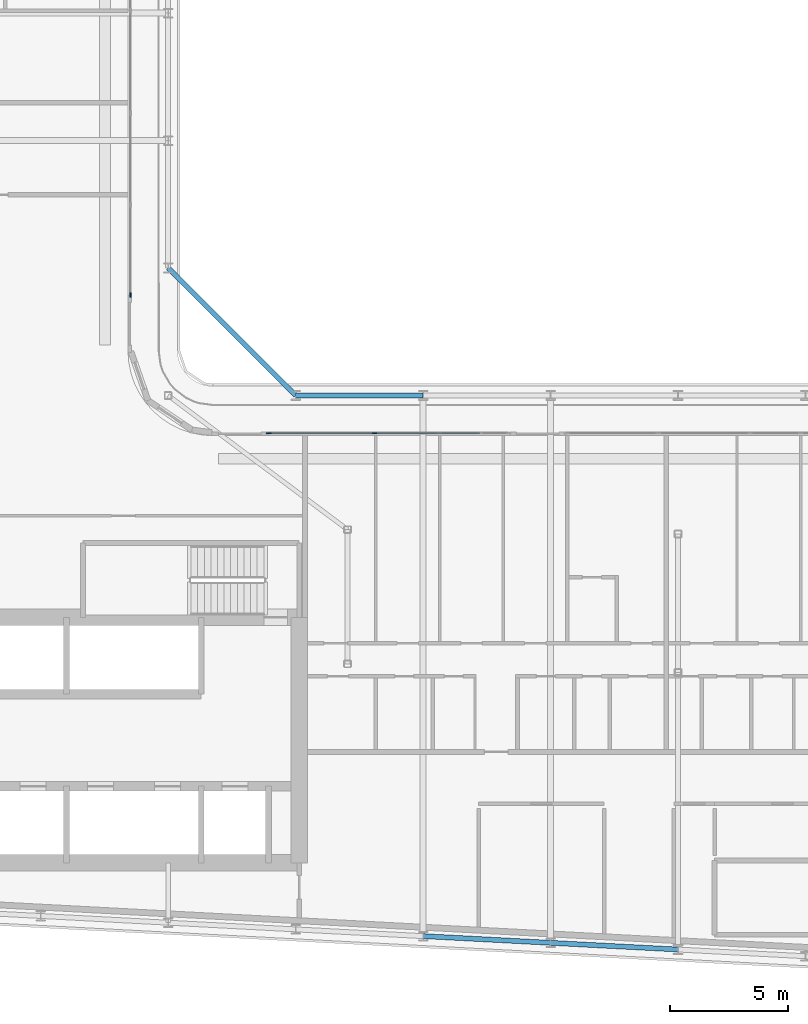
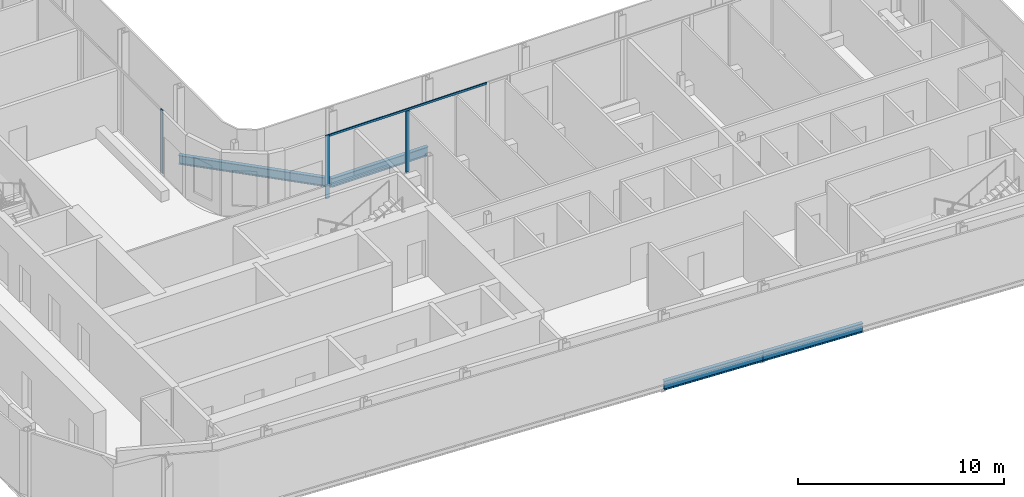
# One storey, part 4 of 23: 4 beams, 4 members, 2 elements without a shape of their own.
"""IFC4 building model written with IfcOpenShell, lengths in metres."""

from ifc_helpers import new_model, si_unit, direction, frame, origin, origin_2d, place, context, subcontext, project, spatial, rectangle, i_section, extrude, material, layer, layer_set, material_profile, profile_set, type_object, element, aggregate, save


model = new_model("IFC4")

# Units and contexts
model_context = context("Model", 3, precision=1e-05, world=origin(), true_north=direction((0.0, 1.0)))
body_context = subcontext(model_context, "Body", "Model", "MODEL_VIEW")
ifc_project = project(units=[si_unit("LENGTHUNIT", "METRE"), si_unit("AREAUNIT", "SQUARE_METRE"), si_unit("VOLUMEUNIT", "CUBIC_METRE"), si_unit("PLANEANGLEUNIT", "RADIAN"), si_unit("MASSUNIT", "GRAM", prefix="KILO")], contexts=[model_context])

# Site, building, storey
site_placement = place(None, origin())
site = spatial("IfcSite", under=ifc_project, at=site_placement, CompositionType="ELEMENT")
building_placement = place(site_placement, origin())
building = spatial("IfcBuilding", under=site, at=building_placement, Name="Kheshtan School and Residences Tower", CompositionType="ELEMENT")
storey_placement = place(building_placement, frame((0.0, 0.0, 239.60009765625)))
storey = spatial("IfcBuildingStorey", under=building, at=storey_placement, Name="L56", CompositionType="ELEMENT", Elevation=239.60009765625)

# Beams
ifc_material_1 = material(Name="Steel ASTM A992 Grade 50", Category="steel")
ifc_material_profile_1 = material_profile(ifc_material_1, i_section(OverallWidth=0.208984375, OverallDepth=0.532958984375, WebThickness=0.01025390625, FlangeThickness=0.015625, FilletRadius=0.013916015625, at=origin_2d()), Name="W530x92")
ifc_profile_set_1 = profile_set([ifc_material_profile_1], Name="Steel ASTM A992 Grade 50")
beam_type = type_object("IfcBeamType", Name="Beam SP3 W530x92 ASTM A992 Grade 50", PredefinedType="BEAM", material=ifc_profile_set_1)
beam_1_placement = place(storey_placement, frame((47.60009765625, 51.0, -0.41650390625), z_axis=(0.707106781187, -0.707106781187, 0.0), x_axis=(0.707106781187, 0.707106781187, 0.0)))
element("IfcBeam", 1, at=beam_1_placement, inside=storey, type_object=beam_type, Name="Spandrel beam C079-C061", PredefinedType="BEAM", context=body_context, shape_type="SweptSolid", body=[
    extrude(i_section(OverallWidth=0.208984375, OverallDepth=0.532958984375, WebThickness=0.01025390625, FlangeThickness=0.015625, FilletRadius=0.013916015625, at=origin_2d()), origin(), (0.0, 0.0, 1.0), 7.63671875),
])
beam_2_placement = place(storey_placement, frame((53.0, 45.60009765625, -0.41650390625), z_axis=(1.0, 0.0, 0.0), x_axis=(0.0, 1.0, 0.0)))
element("IfcBeam", 2, at=beam_2_placement, inside=storey, type_object=beam_type, Name="Spandrel beam C061-C062", PredefinedType="BEAM", context=body_context, shape_type="SweptSolid", body=[
    extrude(i_section(OverallWidth=0.208984375, OverallDepth=0.532958984375, WebThickness=0.01025390625, FlangeThickness=0.015625, FilletRadius=0.013916015625, at=origin_2d()), origin(), (0.0, 0.0, 1.0), 5.39990234375),
])
beam_3_placement = place(storey_placement, frame((69.199951171875, 22.126953125, -0.41650390625), z_axis=(-0.998620447272, 0.05250906864, 0.0), x_axis=(-0.05250906864, -0.998620447272, 0.0)))
element("IfcBeam", 3, at=beam_3_placement, inside=storey, type_object=beam_type, Name="Spandrel beam C014-C016", PredefinedType="BEAM", context=body_context, shape_type="SweptSolid", body=[
    extrude(i_section(OverallWidth=0.208984375, OverallDepth=0.532958984375, WebThickness=0.01025390625, FlangeThickness=0.015625, FilletRadius=0.013916015625, at=origin_2d()), origin(), (0.0, 0.0, 1.0), 5.407470703125),
])
beam_4_placement = place(storey_placement, frame((63.800048828125, 22.410888671875, -0.41650390625), z_axis=(-0.998618203458, 0.052551724256, 0.0), x_axis=(-0.052551724256, -0.998618203458, 0.0)))
element("IfcBeam", 4, at=beam_4_placement, inside=storey, type_object=beam_type, Name="Spandrel beam C016-C018", PredefinedType="BEAM", context=body_context, shape_type="SweptSolid", body=[
    extrude(i_section(OverallWidth=0.208984375, OverallDepth=0.532958984375, WebThickness=0.01025390625, FlangeThickness=0.015625, FilletRadius=0.013916015625, at=origin_2d()), origin(), (0.0, 0.0, 1.0), 5.40771484375),
])

# Curtain wall, member
ifc_material_2 = material(Name="Clear low-e glass in thermally broken aluminium frame", Category="aluminium")
ifc_layer = layer(ifc_material_2, 0.199951171875)
ifc_layer_set = layer_set([ifc_layer], Name="Curtain wall CW-L")
curtain_wall_type = type_object("IfcCurtainWallType", Name="Curtain wall CW-L", PredefinedType="NOTDEFINED", material=ifc_layer_set)
curtain_wall_1_placement = place(storey_placement, origin())
curtain_wall_1 = element("IfcCurtainWall", 5, at=curtain_wall_1_placement, inside=storey, type_object=curtain_wall_type, Name="Curtain wall CWL8", PredefinedType="NOTDEFINED")
ifc_material_3 = material(Name="Thermally broken aluminium, dark bronze anodised", Category="aluminium")
ifc_material_profile_2 = material_profile(ifc_material_3, rectangle(XDim=0.06005859375, YDim=0.199951171875, at=origin_2d()), Name="CW-L mullion 60x200")
ifc_profile_set_2 = profile_set([ifc_material_profile_2], Name="Thermally broken aluminium, dark bronze anodised")
member_type_1 = type_object("IfcMemberType", Name="CW-L mullion 60x200", PredefinedType="MULLION", material=ifc_profile_set_2)
member_1_placement = place(storey_placement, frame((46.0, 49.860107421875, 0.0), z_axis=(0.0, 0.0, 1.0), x_axis=(1.0, 0.0, 0.0)))
member_1 = element("IfcMember", 6, at=member_1_placement, type_object=member_type_1, Name="CWL8 mullion 3", PredefinedType="MULLION", context=body_context, shape_type="SweptSolid", body=[
    extrude(rectangle(XDim=0.06005859375, YDim=0.199951171875, at=origin_2d()), origin(), (0.0, 0.0, 1.0), 3.75),
])
aggregate(curtain_wall_1, [member_1])

# Curtain wall, members
curtain_wall_2_placement = place(storey_placement, origin())
curtain_wall_2 = element("IfcCurtainWall", 7, at=curtain_wall_2_placement, inside=storey, type_object=curtain_wall_type, Name="Curtain wall CWL1228", PredefinedType="NOTDEFINED")
member_2_placement = place(storey_placement, frame((51.860107421875, 44.0, 0.0), z_axis=(0.0, 0.0, 1.0), x_axis=(0.0, 1.0, 0.0)))
member_2 = element("IfcMember", 8, at=member_2_placement, type_object=member_type_1, Name="CWL1228 mullion 1", PredefinedType="MULLION", context=body_context, shape_type="SweptSolid", body=[
    extrude(rectangle(XDim=0.06005859375, YDim=0.199951171875, at=origin_2d()), origin(), (0.0, 0.0, 1.0), 3.75),
])
member_3_placement = place(storey_placement, frame((56.341552734375, 44.0, 0.0), z_axis=(0.0, 0.0, 1.0), x_axis=(0.0, 1.0, 0.0)))
member_3 = element("IfcMember", 9, at=member_3_placement, type_object=member_type_1, Name="CWL1228 mullion 2", PredefinedType="MULLION", context=body_context, shape_type="SweptSolid", body=[
    extrude(rectangle(XDim=0.06005859375, YDim=0.199951171875, at=origin_2d()), origin(), (0.0, 0.0, 1.0), 3.6298828125),
])
ifc_material_profile_3 = material_profile(ifc_material_3, rectangle(XDim=0.06005859375, YDim=0.1201171875, at=origin_2d()), Name="CW-L transom 60x120")
ifc_profile_set_3 = profile_set([ifc_material_profile_3], Name="Thermally broken aluminium, dark bronze anodised")
member_type_2 = type_object("IfcMemberType", Name="CW-L transom 60x120", PredefinedType="USERDEFINED", material=ifc_profile_set_3)
member_4_placement = place(storey_placement, frame((51.889892578125, 44.0, 3.68994140625), z_axis=(1.0, 0.0, 0.0), x_axis=(0.0, 1.0, 0.0)))
member_4 = element("IfcMember", 10, at=member_4_placement, type_object=member_type_2, Name="CWL1228 transom 1", ObjectType="TRANSOM", PredefinedType="USERDEFINED", context=body_context, shape_type="SweptSolid", body=[
    extrude(rectangle(XDim=0.06005859375, YDim=0.1201171875, at=origin_2d()), origin(), (0.0, 0.0, 1.0), 8.9033203125),
])
aggregate(curtain_wall_2, [member_2, member_3, member_4])

save(model, "model.ifc")
